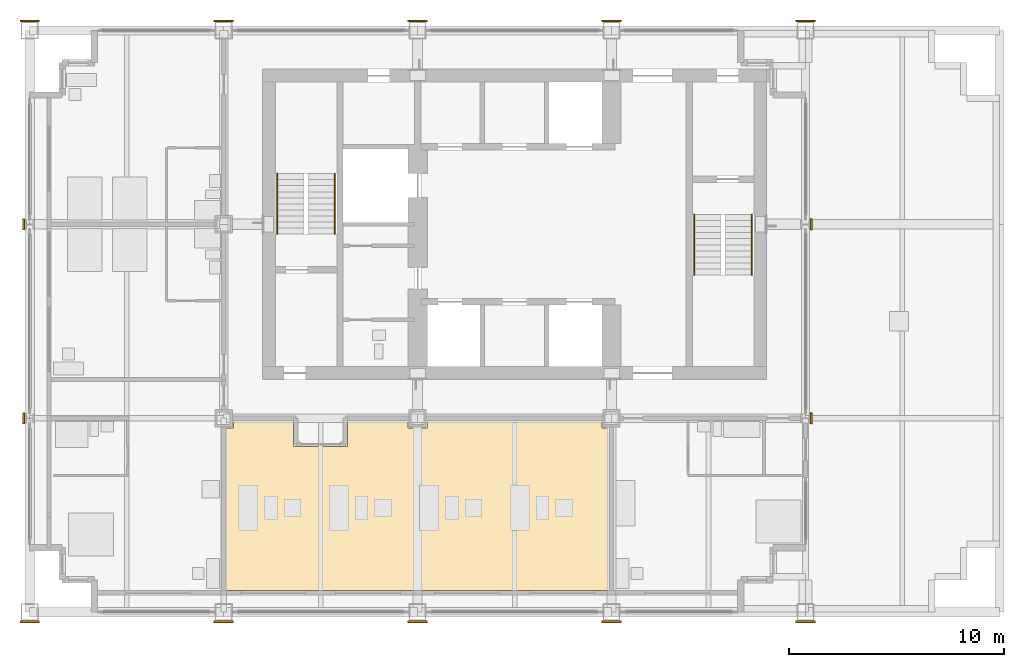
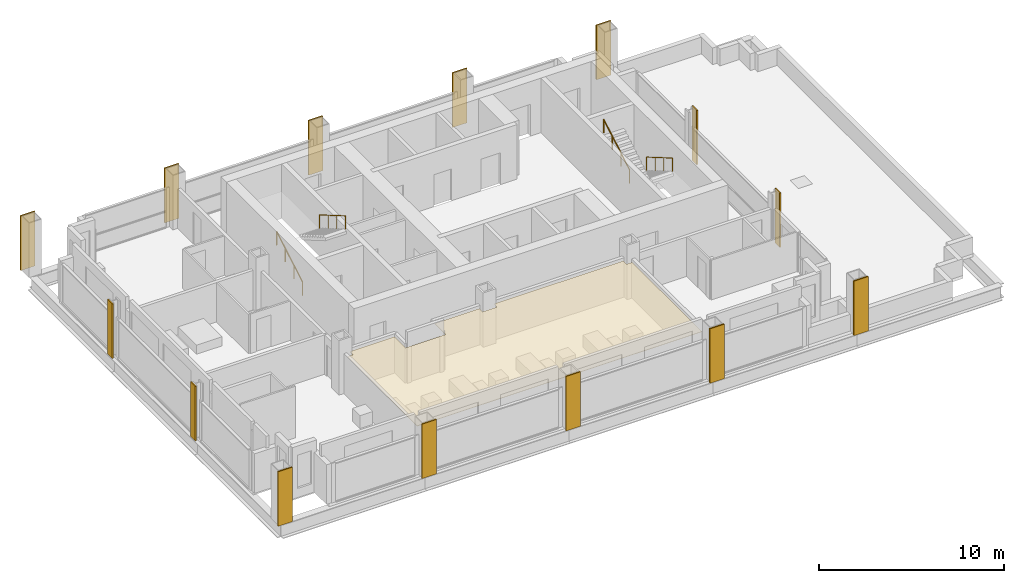
# One storey, part 10 of 12: 15 coverings, 4 railings.
"""IFC4 building model written with IfcOpenShell, lengths in metres."""

from ifc_helpers import new_model, si_unit, direction, frame, origin, origin_2d, place, context, subcontext, project, spatial, polyline, rectangle, circle, outline, extrude, material, layer, layer_set, type_object, element, save


model = new_model("IFC4")

# Units and contexts
model_context = context("Model", 3, precision=1e-05, world=origin(), true_north=direction((0.0, 1.0)))
body_context = subcontext(model_context, "Body", "Model", "MODEL_VIEW")
ifc_project = project(units=[si_unit("LENGTHUNIT", "METRE"), si_unit("AREAUNIT", "SQUARE_METRE"), si_unit("VOLUMEUNIT", "CUBIC_METRE"), si_unit("PLANEANGLEUNIT", "RADIAN"), si_unit("MASSUNIT", "GRAM", prefix="KILO")], contexts=[model_context])

# Site, building, storey
site_placement = place(None, origin())
site = spatial("IfcSite", under=ifc_project, at=site_placement, CompositionType="ELEMENT")
building_placement = place(site_placement, origin())
building = spatial("IfcBuilding", under=site, at=building_placement, Name="Loomwork Tower", CompositionType="ELEMENT")
storey_placement = place(building_placement, frame((0.0, 0.0, 226.60009765625)))
storey = spatial("IfcBuildingStorey", under=building, at=storey_placement, Name="L62", CompositionType="ELEMENT", Elevation=226.60009765625)

# Railings
ifc_material_1 = material(Name="Stainless steel handrail", Category="steel")
railing_type = type_object("IfcRailingType", Name="Handrail 900", PredefinedType="HANDRAIL", material=ifc_material_1)
railing_1_placement = place(storey_placement, frame((11.485107421875, 17.550048828125, 0.16357421875)))
element("IfcRailing", 1, at=railing_1_placement, inside=storey, type_object=railing_type, Name="Stair A handrail flight 1 L62", PredefinedType="HANDRAIL", context=body_context, shape_type="SweptSolid", body=[
    extrude(circle(Radius=0.02392578125, at=origin_2d()), frame((0.0, 0.0, 0.8759765625), z_axis=(0.0, 0.863393664356, 0.504530851732), x_axis=(-1.0, 0.0, 0.0)), (0.0, 0.0, 1.0), 3.2431640625),
    extrude(circle(Radius=0.02099609375, at=origin_2d()), origin(), (0.0, 0.0, 1.0), 0.851806640625),
    extrude(circle(Radius=0.02099609375, at=origin_2d()), frame((0.0, 0.933349609375, 0.54541015625)), (0.0, 0.0, 1.0), 0.851806640625),
    extrude(circle(Radius=0.02099609375, at=origin_2d()), frame((0.0, 1.86669921875, 1.0908203125)), (0.0, 0.0, 1.0), 0.851806640625),
    extrude(circle(Radius=0.02099609375, at=origin_2d()), frame((0.0, 2.800048828125, 1.63623046875)), (0.0, 0.0, 1.0), 0.851806640625),
])
for number, where, name in (
    (2, (14.1650390625, 20.35009765625, 1.963623046875), "Stair A handrail flight 2 L62"),
    (3, (33.514892578125, 18.449951171875, 0.16357421875), "Stair B handrail flight 1 L62"),
):
    element("IfcRailing", number, at=place(storey_placement, frame(where)), inside=storey, type_object=railing_type, Name=name, PredefinedType="HANDRAIL", context=body_context, shape_type="SweptSolid", body=[
        extrude(circle(Radius=0.02392578125, at=origin_2d()), frame((0.0, 0.0, 0.8759765625), z_axis=(0.0, -0.863393664356, 0.504530851732), x_axis=(1.0, 0.0, 0.0)), (0.0, 0.0, 1.0), 3.2431640625),
        extrude(circle(Radius=0.02099609375, at=origin_2d()), origin(), (0.0, 0.0, 1.0), 0.851806640625),
        extrude(circle(Radius=0.02099609375, at=origin_2d()), frame((0.0, -0.933349609375, 0.54541015625)), (0.0, 0.0, 1.0), 0.851806640625),
        extrude(circle(Radius=0.02099609375, at=origin_2d()), frame((0.0, -1.86669921875, 1.0908203125)), (0.0, 0.0, 1.0), 0.851806640625),
        extrude(circle(Radius=0.02099609375, at=origin_2d()), frame((0.0, -2.800048828125, 1.63623046875)), (0.0, 0.0, 1.0), 0.851806640625),
    ])
railing_2_placement = place(storey_placement, frame((30.8349609375, 15.64990234375, 1.963623046875)))
element("IfcRailing", 4, at=railing_2_placement, inside=storey, type_object=railing_type, Name="Stair B handrail flight 2 L62", PredefinedType="HANDRAIL", context=body_context, shape_type="SweptSolid", body=[
    extrude(circle(Radius=0.02392578125, at=origin_2d()), frame((0.0, 0.0, 0.8759765625), z_axis=(0.0, 0.863393664356, 0.504530851732), x_axis=(-1.0, 0.0, 0.0)), (0.0, 0.0, 1.0), 3.2431640625),
    extrude(circle(Radius=0.02099609375, at=origin_2d()), origin(), (0.0, 0.0, 1.0), 0.851806640625),
    extrude(circle(Radius=0.02099609375, at=origin_2d()), frame((0.0, 0.933349609375, 0.54541015625)), (0.0, 0.0, 1.0), 0.851806640625),
    extrude(circle(Radius=0.02099609375, at=origin_2d()), frame((0.0, 1.86669921875, 1.0908203125)), (0.0, 0.0, 1.0), 0.851806640625),
    extrude(circle(Radius=0.02099609375, at=origin_2d()), frame((0.0, 2.800048828125, 1.63623046875)), (0.0, 0.0, 1.0), 0.851806640625),
])

# Coverings
ifc_material_2 = material(Name="Limestone", Category="masonry")
ifc_layer_1 = layer(ifc_material_2, 0.080078125)
ifc_layer_set_1 = layer_set([ifc_layer_1], Name="Limestone pier facing 80")
covering_type_1 = type_object("IfcCoveringType", Name="Limestone pier facing 80", PredefinedType="CLADDING", material=ifc_layer_set_1)
covering_1_placement = place(storey_placement, frame((0.0, -0.43994140625, -0.000244140625), z_axis=(0.0, 0.0, 1.0), x_axis=(1.0, 0.0, 0.0)))
element("IfcCovering", 5, at=covering_1_placement, inside=storey, type_object=covering_type_1, Name="Pier facing D/2 L62", PredefinedType="CLADDING", context=body_context, shape_type="SweptSolid", body=[
    extrude(rectangle(XDim=0.89990234375, YDim=0.080078125, at=origin_2d()), origin(), (0.0, 0.0, 1.0), 3.60009765625),
])
for number, where, z_axis, x_axis, name in (
    (6, (-0.2724609375, 9.0, -0.000244140625), (0.0, 0.0, 1.0), (1.0, 0.0, 0.0), "Pier facing E/2 L62"),
    (7, (-0.2724609375, 18.0, -0.000244140625), (0.0, 0.0, 1.0), (1.0, 0.0, 0.0), "Pier facing F/2 L62"),
):
    element("IfcCovering", number, at=place(storey_placement, frame(where, z_axis=z_axis, x_axis=x_axis)), inside=storey, type_object=covering_type_1, Name=name, PredefinedType="CLADDING", context=body_context, shape_type="SweptSolid", body=[
        extrude(rectangle(XDim=0.080078125, YDim=0.521484375, at=origin_2d()), origin(), (0.0, 0.0, 1.0), 3.60009765625),
    ])
for number, where, z_axis, x_axis, name in (
    (8, (0.0, 27.43994140625, -0.000244140625), (0.0, 0.0, 1.0), (1.0, 0.0, 0.0), "Pier facing G/2 L62"),
    (9, (9.0, -0.43994140625, -0.000244140625), (0.0, 0.0, 1.0), (1.0, 0.0, 0.0), "Pier facing D/3 L62"),
    (10, (9.0, 27.43994140625, -0.000244140625), (0.0, 0.0, 1.0), (1.0, 0.0, 0.0), "Pier facing G/3 L62"),
    (11, (18.0, -0.43994140625, -0.000244140625), (0.0, 0.0, 1.0), (1.0, 0.0, 0.0), "Pier facing D/4 L62"),
    (12, (18.0, 27.43994140625, -0.000244140625), (0.0, 0.0, 1.0), (1.0, 0.0, 0.0), "Pier facing G/4 L62"),
    (13, (27.0, -0.43994140625, -0.000244140625), (0.0, 0.0, 1.0), (1.0, 0.0, 0.0), "Pier facing D/5 L62"),
    (14, (27.0, 27.43994140625, -0.000244140625), (0.0, 0.0, 1.0), (1.0, 0.0, 0.0), "Pier facing G/5 L62"),
    (15, (36.0, -0.43994140625, -0.000244140625), (0.0, 0.0, 1.0), (1.0, 0.0, 0.0), "Pier facing D/6 L62"),
):
    element("IfcCovering", number, at=place(storey_placement, frame(where, z_axis=z_axis, x_axis=x_axis)), inside=storey, type_object=covering_type_1, Name=name, PredefinedType="CLADDING", context=body_context, shape_type="SweptSolid", body=[
        extrude(rectangle(XDim=0.89990234375, YDim=0.080078125, at=origin_2d()), origin(), (0.0, 0.0, 1.0), 3.60009765625),
    ])
for number, where, z_axis, x_axis, name in (
    (16, (36.2724609375, 9.0, -0.000244140625), (0.0, 0.0, 1.0), (1.0, 0.0, 0.0), "Pier facing E/6 L62"),
    (17, (36.2724609375, 18.0, -0.000244140625), (0.0, 0.0, 1.0), (1.0, 0.0, 0.0), "Pier facing F/6 L62"),
):
    element("IfcCovering", number, at=place(storey_placement, frame(where, z_axis=z_axis, x_axis=x_axis)), inside=storey, type_object=covering_type_1, Name=name, PredefinedType="CLADDING", context=body_context, shape_type="SweptSolid", body=[
        extrude(rectangle(XDim=0.080078125, YDim=0.521484375, at=origin_2d()), origin(), (0.0, 0.0, 1.0), 3.60009765625),
    ])
covering_2_placement = place(storey_placement, frame((36.0, 27.43994140625, -0.000244140625), z_axis=(0.0, 0.0, 1.0), x_axis=(1.0, 0.0, 0.0)))
element("IfcCovering", 18, at=covering_2_placement, inside=storey, type_object=covering_type_1, Name="Pier facing G/6 L62", PredefinedType="CLADDING", context=body_context, shape_type="SweptSolid", body=[
    extrude(rectangle(XDim=0.89990234375, YDim=0.080078125, at=origin_2d()), origin(), (0.0, 0.0, 1.0), 3.60009765625),
])
ifc_material_3 = material(Name="Mineral fibre acoustic tile on suspension grid")
ifc_layer_2 = layer(ifc_material_3, 0.02490234375)
ifc_layer_set_2 = layer_set([ifc_layer_2], Name="Suspended acoustic ceiling")
covering_type_2 = type_object("IfcCoveringType", Name="Suspended acoustic ceiling", PredefinedType="CEILING", material=ifc_layer_set_2)
covering_3_placement = place(storey_placement, frame((0.0, 0.0, 2.375)))
element("IfcCovering", 19, at=covering_3_placement, inside=storey, type_object=covering_type_2, Name="Ceiling Sky club lounge L62", PredefinedType="CEILING", context=body_context, shape_type="SweptSolid", body=[
    extrude(outline(polyline([(12.25, 7.699951171875), (14.75, 7.699951171875), (14.75, 8.89990234375), (17.550048828125, 8.89990234375), (17.550048828125, 8.550048828125), (18.449951171875, 8.550048828125), (18.449951171875, 8.89990234375), (26.550048828125, 8.89990234375), (26.550048828125, 8.550048828125), (26.89990234375, 8.550048828125), (26.89990234375, 1.0), (9.10009765625, 1.0), (9.10009765625, 8.550048828125), (9.449951171875, 8.550048828125), (9.449951171875, 8.89990234375), (12.25, 8.89990234375), (12.25, 7.699951171875)])), origin(), (0.0, 0.0, 1.0), 0.02490234375),
])

save(model, "model.ifc")
